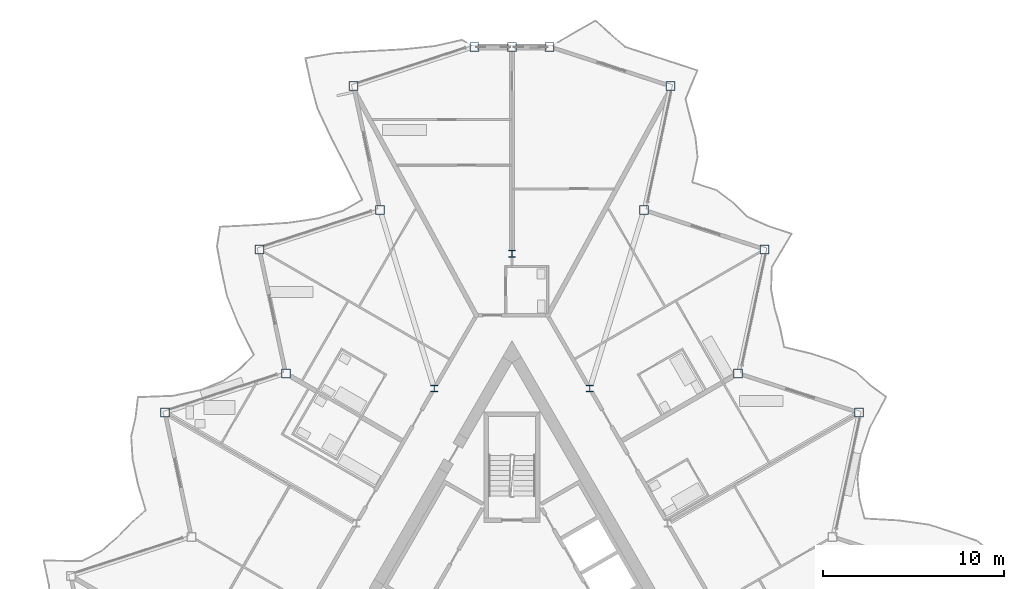
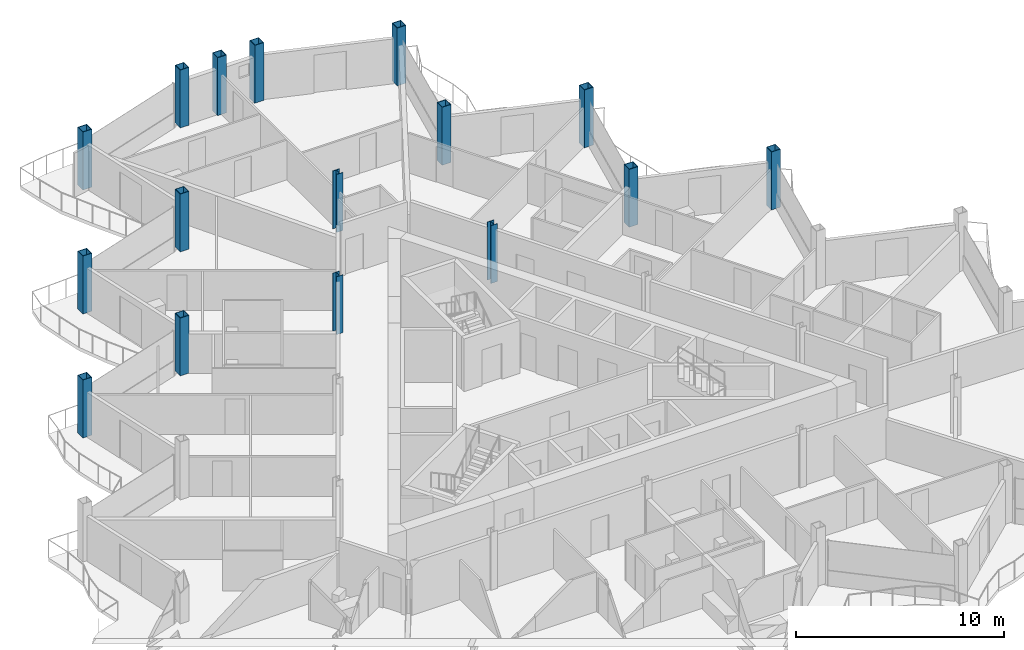
# One storey, part 3 of 26: 16 columns.
"""IFC4 building model written with IfcOpenShell, lengths in metres."""

from ifc_helpers import new_model, si_unit, direction, frame, origin, origin_2d, place, context, subcontext, project, spatial, hollow_rectangle, i_section, extrude, material, material_profile, profile_set, type_object, element, save


model = new_model("IFC4")

# Units and contexts
model_context = context("Model", 3, precision=1e-05, world=origin(), true_north=direction((0.0, 1.0)))
body_context = subcontext(model_context, "Body", "Model", "MODEL_VIEW")
ifc_project = project(units=[si_unit("LENGTHUNIT", "METRE"), si_unit("AREAUNIT", "SQUARE_METRE"), si_unit("VOLUMEUNIT", "CUBIC_METRE"), si_unit("PLANEANGLEUNIT", "RADIAN"), si_unit("MASSUNIT", "GRAM", prefix="KILO")], contexts=[model_context])

# Site, building, storey
site_placement = place(None, origin())
site = spatial("IfcSite", under=ifc_project, at=site_placement, CompositionType="ELEMENT")
building_placement = place(site_placement, origin())
building = spatial("IfcBuilding", under=site, at=building_placement, Name="Cormorant Prow Tower", CompositionType="ELEMENT")
storey_placement = place(building_placement, frame((0.0, 0.0, 398.39990234375)))
storey = spatial("IfcBuildingStorey", under=building, at=storey_placement, Name="L91", CompositionType="ELEMENT", Elevation=398.39990234375)

# Columns
ifc_material_1 = material(Name="Structural steel ASTM A572 Gr 50", Category="steel")
ifc_material_profile_1 = material_profile(ifc_material_1, hollow_rectangle(XDim=0.5, YDim=0.5, WallThickness=0.030029296875, at=origin_2d()), Name="Box 500x500x30")
ifc_profile_set_1 = profile_set([ifc_material_profile_1], Name="Structural steel ASTM A572 Gr 50")
column_type_1 = type_object("IfcColumnType", Name="Perimeter box column 500x500x30", PredefinedType="COLUMN", material=ifc_profile_set_1)
for number, where, z_axis, x_axis, name in (
    (1, (19.128662109375, 11.0439453125, 0.0), (0.0, 0.0, 1.0), (1.0, 0.0, 0.0), "Perimeter column C7 at ENE05 L91"),
    (2, (12.473876953125, 13.206298828125, 0.0), (0.0, 0.0, 1.0), (1.0, 0.0, 0.0), "Perimeter column C7 at ENE06 L91"),
    (3, (13.9287109375, 20.050537109375, 0.0), (0.0, 0.0, 1.0), (1.0, 0.0, 0.0), "Perimeter column C7 at ENE07 L91"),
    (4, (7.273681640625, 22.212890625, 0.0), (0.0, 0.0, 1.0), (1.0, 0.0, 0.0), "Perimeter column C7 at ENE08 L91"),
    (5, (8.728515625, 29.05712890625, 0.0), (0.0, 0.0, 1.0), (1.0, 0.0, 0.0), "Perimeter column C7 at ENE09 L91"),
    (6, (2.07373046875, 31.219482421875, 0.0), (0.0, 0.0, 1.0), (1.0, 0.0, 0.0), "Perimeter column C7 at N00 L91"),
    (7, (0.0, 31.219482421875, 0.0), (0.0, 0.0, 1.0), (1.0, 0.0, 0.0), "Perimeter column C7 at N01 L91"),
    (8, (-2.07373046875, 31.219482421875, 0.0), (0.0, 0.0, 1.0), (1.0, 0.0, 0.0), "Perimeter column C7 at WNW00 L91"),
    (9, (-8.728515625, 29.05712890625, 0.0), (0.0, 0.0, 1.0), (1.0, 0.0, 0.0), "Perimeter column C7 at WNW01 L91"),
    (10, (-7.273681640625, 22.212890625, 0.0), (0.0, 0.0, 1.0), (1.0, 0.0, 0.0), "Perimeter column C7 at WNW02 L91"),
    (11, (-13.9287109375, 20.050537109375, 0.0), (0.0, 0.0, 1.0), (1.0, 0.0, 0.0), "Perimeter column C7 at WNW03 L91"),
    (12, (-12.473876953125, 13.206298828125, 0.0), (0.0, 0.0, 1.0), (1.0, 0.0, 0.0), "Perimeter column C7 at WNW04 L91"),
    (13, (-19.128662109375, 11.0439453125, 0.0), (0.0, 0.0, 1.0), (1.0, 0.0, 0.0), "Perimeter column C7 at WNW05 L91"),
):
    element("IfcColumn", number, at=place(storey_placement, frame(where, z_axis=z_axis, x_axis=x_axis)), inside=storey, type_object=column_type_1, Name=name, PredefinedType="COLUMN", context=body_context, shape_type="SweptSolid", body=[
        extrude(hollow_rectangle(XDim=0.5, YDim=0.5, WallThickness=0.030029296875, at=origin_2d()), origin(), (0.0, 0.0, 1.0), 3.400146484375),
    ])
ifc_material_2 = material(Name="Structural steel ASTM A992 Gr 50", Category="steel")
ifc_material_profile_2 = material_profile(ifc_material_2, i_section(OverallWidth=0.3740234375, OverallDepth=0.372314453125, WebThickness=0.016357421875, FlangeThickness=0.026123046875, at=origin_2d()), Name="W14x132")
ifc_profile_set_2 = profile_set([ifc_material_profile_2], Name="Structural steel ASTM A992 Gr 50")
column_type_2 = type_object("IfcColumnType", Name="Ring column W14x132", PredefinedType="COLUMN", material=ifc_profile_set_2)
for number, where, z_axis, x_axis, name in (
    (14, (0.0, 19.81103515625, 0.0), (0.0, 0.0, 1.0), (1.0, 0.0, 0.0), "Ring column 1 L91"),
    (15, (-4.289306640625, 12.3818359375, 0.0), (0.0, 0.0, 1.0), (1.0, 0.0, 0.0), "Ring column 2 L91"),
    (16, (4.289306640625, 12.3818359375, 0.0), (0.0, 0.0, 1.0), (1.0, 0.0, 0.0), "Ring column 12 L91"),
):
    element("IfcColumn", number, at=place(storey_placement, frame(where, z_axis=z_axis, x_axis=x_axis)), inside=storey, type_object=column_type_2, Name=name, PredefinedType="COLUMN", context=body_context, shape_type="SweptSolid", body=[
        extrude(i_section(OverallWidth=0.3740234375, OverallDepth=0.372314453125, WebThickness=0.016357421875, FlangeThickness=0.026123046875, at=origin_2d()), origin(), (0.0, 0.0, 1.0), 3.400146484375),
    ])

save(model, "model.ifc")
